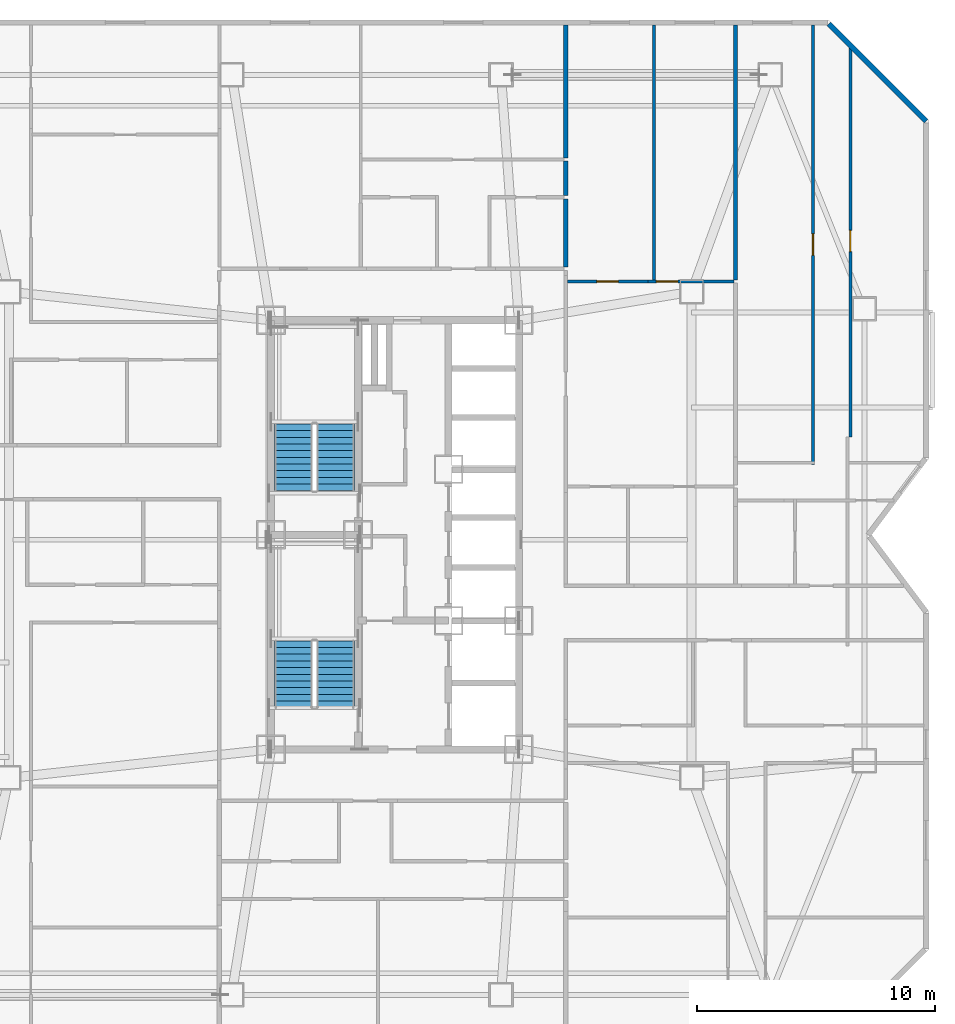
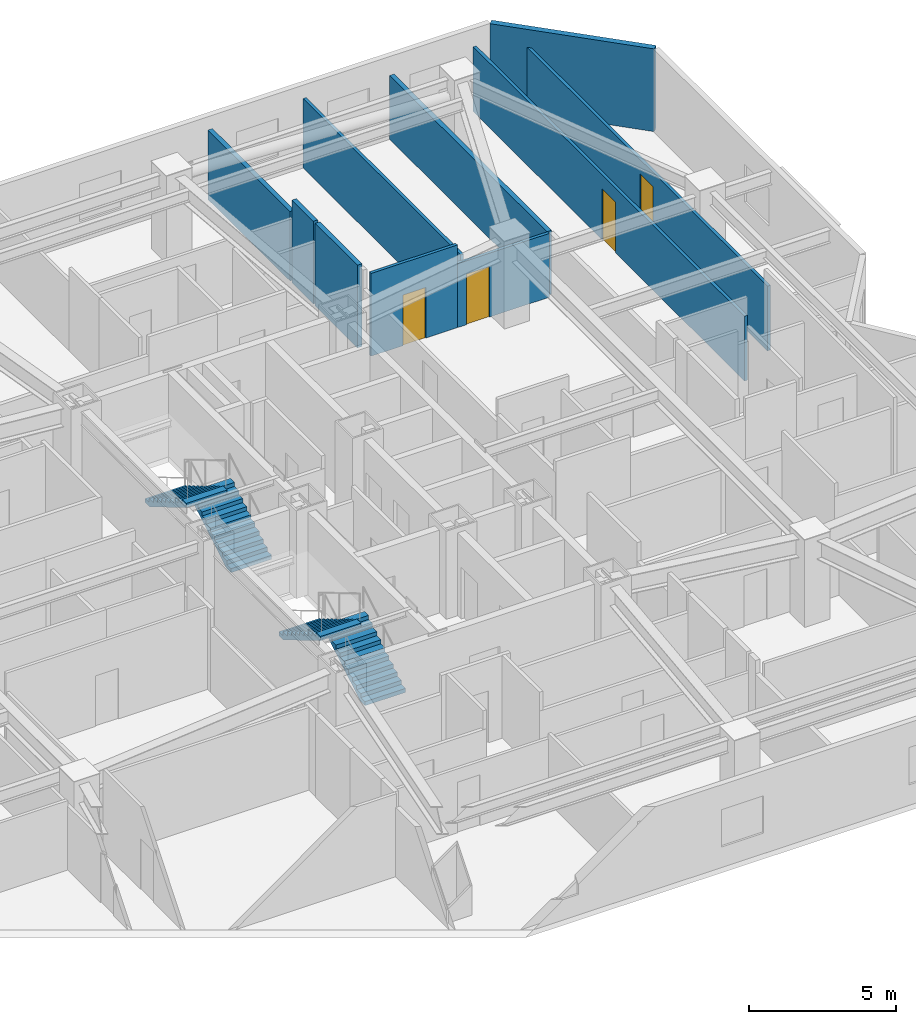
# One storey, part 16 of 17: 10 walls, 4 doors, 4 stair flights, 4 openings, 2 elements without a shape of their own.
"""IFC4 building model written with IfcOpenShell, lengths in metres."""

from ifc_helpers import new_model, si_unit, direction, frame, frame_2d, origin, place, context, subcontext, project, spatial, polyline, rectangle, outline, extrude, material, layer, layer_set, type_object, element, fill, aggregate, save


model = new_model("IFC4")

# Units and contexts
model_context = context("Model", 3, precision=1e-05, world=origin(), true_north=direction((0.0, 1.0)))
body_context = subcontext(model_context, "Body", "Model", "MODEL_VIEW")
ifc_project = project(units=[si_unit("LENGTHUNIT", "METRE"), si_unit("AREAUNIT", "SQUARE_METRE"), si_unit("VOLUMEUNIT", "CUBIC_METRE"), si_unit("PLANEANGLEUNIT", "RADIAN"), si_unit("MASSUNIT", "GRAM", prefix="KILO")], contexts=[model_context])

# Site, building, storey
site_placement = place(None, origin())
site = spatial("IfcSite", under=ifc_project, at=site_placement, CompositionType="ELEMENT")
building_placement = place(site_placement, origin())
building = spatial("IfcBuilding", under=site, at=building_placement, Name="Khamvora Tower", CompositionType="ELEMENT")
storey_placement = place(building_placement, frame((0.0, 0.0, 131.10009765625)))
storey = spatial("IfcBuildingStorey", under=building, at=storey_placement, Name="L33", CompositionType="ELEMENT", Elevation=131.10009765625)

# Walls
ifc_material_1 = material(Name="Acoustic Double-Stud Fire Wall", Category="gypsum")
ifc_layer_1 = layer(ifc_material_1, 0.179931640625)
ifc_layer_set_1 = layer_set([ifc_layer_1], Name="Acoustic Double-Stud Fire Wall")
wall_type_1 = type_object("IfcWallType", Name="WAL-CORR-180", PredefinedType="STANDARD", material=ifc_layer_set_1)
wall_1_placement = place(storey_placement, frame((41.364990234375, 43.677001953125, 0.0), z_axis=(0.0, 0.0, 1.0), x_axis=(0.0, -1.0, 0.0)))
element("IfcWall", 1, at=wall_1_placement, inside=storey, type_object=wall_type_1, Name="L33 interior partition wall 098", PredefinedType="STANDARD", context=body_context, shape_type="SweptSolid", body=[
    extrude(rectangle(XDim=1.449951171875, YDim=0.179931640625, at=frame_2d((0.72509765625, 0.0))), origin(), (0.0, 0.0, 1.0), 3.429931640625),
])
wall_2_placement = place(storey_placement, frame((41.364990234375, 42.096923828125, 0.0), z_axis=(0.0, 0.0, 1.0), x_axis=(0.0, -1.0, 0.0)))
element("IfcWall", 2, at=wall_2_placement, inside=storey, type_object=wall_type_1, Name="L33 interior partition wall 099", PredefinedType="STANDARD", context=body_context, shape_type="SweptSolid", body=[
    extrude(rectangle(XDim=2.866943359375, YDim=0.179931640625, at=frame_2d((1.43359375, 0.0))), origin(), (0.0, 0.0, 1.0), 3.429931640625),
])
wall_3_placement = place(storey_placement, frame((41.364990234375, 49.387939453125, 0.0), z_axis=(0.0, 0.0, 1.0), x_axis=(0.0, -1.0, 0.0)))
element("IfcWall", 3, at=wall_3_placement, inside=storey, type_object=wall_type_1, Name="L33 interior partition wall 100", PredefinedType="STANDARD", context=body_context, shape_type="SweptSolid", body=[
    extrude(rectangle(XDim=5.5810546875, YDim=0.179931640625, at=frame_2d((2.79052734375, 0.0))), origin(), (0.0, 0.0, 1.0), 2.8759765625),
])
wall_4_placement = place(storey_placement, frame((48.489990234375, 49.387939453125, 0.0), z_axis=(0.0, 0.0, 1.0), x_axis=(0.0, -1.0, 0.0)))
element("IfcWall", 4, at=wall_4_placement, inside=storey, type_object=wall_type_1, Name="L33 interior partition wall 120", PredefinedType="STANDARD", context=body_context, shape_type="SweptSolid", body=[
    extrude(rectangle(XDim=10.69287109375, YDim=0.179931640625, at=frame_2d((5.346435546875, 0.0))), origin(), (0.0, 0.0, 1.0), 2.64697265625),
])
ifc_material_2 = material(Name="Precast concrete C40/50", Category="concrete")
ifc_layer_2 = layer(ifc_material_2, 0.219970703125)
ifc_layer_set_2 = layer_set([ifc_layer_2], Name="Precast concrete C40/50")
wall_type_2 = type_object("IfcWallType", Name="WAL-EXT-220", PredefinedType="STANDARD", material=ifc_layer_set_2)
wall_5_placement = place(storey_placement, frame((52.402099609375, 49.44189453125, 0.0), z_axis=(0.0, 0.0, 1.0), x_axis=(0.707106781187, -0.707106781187, 0.0)))
element("IfcWall", 5, at=wall_5_placement, inside=storey, type_object=wall_type_2, Name="L33 exterior facade wall 08.1", PredefinedType="STANDARD", context=body_context, shape_type="SweptSolid", body=[
    extrude(rectangle(XDim=5.78125, YDim=0.219970703125, at=frame_2d((2.890625, 0.0))), origin(), (0.0, 0.0, 1.0), 3.429931640625),
])

# Wall, opening, door
ifc_material_3 = material(Name="Gypsum Plasterboard Partition", Category="gypsum")
ifc_layer_3 = layer(ifc_material_3, 0.1201171875)
ifc_layer_set_3 = layer_set([ifc_layer_3], Name="Gypsum Plasterboard Partition")
wall_type_3 = type_object("IfcWallType", Name="WAL-PART-120", PredefinedType="PARTITIONING", material=ifc_layer_set_3)
wall_6_placement = place(storey_placement, frame((44.818115234375, 38.6298828125, 0.0), z_axis=(0.0, 0.0, 1.0), x_axis=(1.0, 0.0, 0.0)))
wall_6 = element("IfcWall", 6, at=wall_6_placement, inside=storey, type_object=wall_type_3, Name="L33 interior partition wall 113", PredefinedType="PARTITIONING", context=body_context, shape_type="SweptSolid", body=[
    extrude(rectangle(XDim=3.60693359375, YDim=0.1201171875, at=frame_2d((1.803466796875, 0.0))), origin(), (0.0, 0.0, 1.0), 2.64697265625),
])
opening_1_placement = place(wall_6_placement, frame((0.35400390625, 0.0, 0.0)))
opening_1 = element("IfcOpeningElement", 7, at=opening_1_placement, cuts=wall_6, Name="Opening D-RM1", PredefinedType="OPENING", context=body_context, shape_type="SweptSolid", body=[
    extrude(rectangle(XDim=0.89990234375, YDim=2.10009765625, at=frame_2d((0.449951171875, 1.050048828125))), frame((0.0, 0.070068359375, 0.0), z_axis=(0.0, -1.0, 0.0), x_axis=(1.0, 0.0, 0.0)), (0.0, 0.0, 1.0), 0.14013671875),
])
ifc_material_4 = material(Name="Powder-Coated Steel and Hardwood Leaf", Category="steel")
door_type = type_object("IfcDoorType", Name="DOR-ROOM-900", OperationType="NOTDEFINED", PredefinedType="DOOR", material=ifc_material_4)
door_1_placement = place(opening_1_placement, origin())
door_1 = element("IfcDoor", 8, at=door_1_placement, inside=storey, type_object=door_type, Name="L33 interior door 33EBH-33EBR2", OperationType="SINGLE_SWING_LEFT", OverallHeight=2.10009765625, OverallWidth=0.89990234375, PredefinedType="DOOR", context=body_context, shape_type="SweptSolid", body=[
    extrude(rectangle(XDim=0.89990234375, YDim=2.10009765625, at=frame_2d((0.449951171875, 1.050048828125))), frame((0.0, 0.02490234375, 0.0), z_axis=(0.0, -1.0, 0.0), x_axis=(1.0, 0.0, 0.0)), (0.0, 0.0, 1.0), 0.050048828125),
])
fill(opening_1, door_1)

wall_7_placement = place(storey_placement, frame((41.431884765625, 38.6298828125, 0.0), z_axis=(0.0, 0.0, 1.0), x_axis=(1.0, 0.0, 0.0)))
wall_7 = element("IfcWall", 9, at=wall_7_placement, inside=storey, type_object=wall_type_3, Name="L33 interior partition wall 116", PredefinedType="PARTITIONING", context=body_context, shape_type="SweptSolid", body=[
    extrude(rectangle(XDim=3.38623046875, YDim=0.1201171875, at=frame_2d((1.693115234375, 0.0))), origin(), (0.0, 0.0, 1.0), 3.429931640625),
])
opening_2_placement = place(wall_7_placement, frame((1.242919921875, 0.0, 0.0)))
opening_2 = element("IfcOpeningElement", 10, at=opening_2_placement, cuts=wall_7, Name="Opening D-RM1", PredefinedType="OPENING", context=body_context, shape_type="SweptSolid", body=[
    extrude(rectangle(XDim=0.89990234375, YDim=2.10009765625, at=frame_2d((0.449951171875, 1.050048828125))), frame((0.0, 0.070068359375, 0.0), z_axis=(0.0, -1.0, 0.0), x_axis=(1.0, 0.0, 0.0)), (0.0, 0.0, 1.0), 0.14013671875),
])
door_2_placement = place(opening_2_placement, origin())
door_2 = element("IfcDoor", 11, at=door_2_placement, inside=storey, type_object=door_type, Name="L33 interior door 33EBH-33EBR1", OperationType="SINGLE_SWING_RIGHT", OverallHeight=2.10009765625, OverallWidth=0.89990234375, PredefinedType="DOOR", context=body_context, shape_type="SweptSolid", body=[
    extrude(rectangle(XDim=0.89990234375, YDim=2.10009765625, at=frame_2d((0.449951171875, 1.050048828125))), frame((0.0, 0.02490234375, 0.0), z_axis=(0.0, -1.0, 0.0), x_axis=(1.0, 0.0, 0.0)), (0.0, 0.0, 1.0), 0.050048828125),
])
fill(opening_2, door_2)

# Wall
wall_8_placement = place(storey_placement, frame((45.06689453125, 38.68408203125, 0.0), z_axis=(0.0, 0.0, 1.0), x_axis=(0.0, 1.0, 0.0)))
element("IfcWall", 12, at=wall_8_placement, inside=storey, type_object=wall_type_3, Name="L33 interior partition wall 119", PredefinedType="PARTITIONING", context=body_context, shape_type="SweptSolid", body=[
    extrude(rectangle(XDim=10.703857421875, YDim=0.1201171875, at=frame_2d((5.35205078125, 0.0))), origin(), (0.0, 0.0, 1.0), 2.8759765625),
])

# Wall, opening, door
wall_9_placement = place(storey_placement, frame((51.738037109375, 30.9599609375, 0.0), z_axis=(0.0, 0.0, 1.0), x_axis=(0.0, 1.0, 0.0)))
wall_9 = element("IfcWall", 13, at=wall_9_placement, inside=storey, type_object=wall_type_3, Name="L33 interior partition wall 129", PredefinedType="PARTITIONING", context=body_context, shape_type="SweptSolid", body=[
    extrude(rectangle(XDim=18.427978515625, YDim=0.1201171875, at=frame_2d((9.2138671875, 0.0))), origin(), (0.0, 0.0, 1.0), 2.68701171875),
])
opening_3_placement = place(wall_9_placement, frame((8.763916015625, 0.0, 0.0)))
opening_3 = element("IfcOpeningElement", 14, at=opening_3_placement, cuts=wall_9, Name="Opening D-RM1", PredefinedType="OPENING", context=body_context, shape_type="SweptSolid", body=[
    extrude(rectangle(XDim=0.89990234375, YDim=2.10009765625, at=frame_2d((0.449951171875, 1.050048828125))), frame((0.0, 0.070068359375, 0.0), z_axis=(0.0, -1.0, 0.0), x_axis=(1.0, 0.0, 0.0)), (0.0, 0.0, 1.0), 0.14013671875),
])
door_3_placement = place(opening_3_placement, origin())
door_3 = element("IfcDoor", 15, at=door_3_placement, inside=storey, type_object=door_type, Name="L33 interior door 33ECH-33ECR1", OperationType="SINGLE_SWING_LEFT", OverallHeight=2.10009765625, OverallWidth=0.89990234375, PredefinedType="DOOR", context=body_context, shape_type="SweptSolid", body=[
    extrude(rectangle(XDim=0.89990234375, YDim=2.10009765625, at=frame_2d((0.449951171875, 1.050048828125))), frame((0.0, 0.02490234375, 0.0), z_axis=(0.0, -1.0, 0.0), x_axis=(1.0, 0.0, 0.0)), (0.0, 0.0, 1.0), 0.050048828125),
])
fill(opening_3, door_3)

wall_10_placement = place(storey_placement, frame((53.306884765625, 48.5458984375, 0.0), z_axis=(0.0, 0.0, 1.0), x_axis=(0.0, -1.0, 0.0)))
wall_10 = element("IfcWall", 16, at=wall_10_placement, inside=storey, type_object=wall_type_3, Name="L33 interior partition wall 130", PredefinedType="PARTITIONING", context=body_context, shape_type="SweptSolid", body=[
    extrude(rectangle(XDim=16.435791015625, YDim=0.1201171875, at=frame_2d((8.2177734375, 0.0))), origin(), (0.0, 0.0, 1.0), 2.68701171875),
])
opening_4_placement = place(wall_10_placement, frame((7.76806640625, 0.0, 0.0)))
opening_4 = element("IfcOpeningElement", 17, at=opening_4_placement, cuts=wall_10, Name="Opening D-RM1", PredefinedType="OPENING", context=body_context, shape_type="SweptSolid", body=[
    extrude(rectangle(XDim=0.89990234375, YDim=2.10009765625, at=frame_2d((0.449951171875, 1.050048828125))), frame((0.0, 0.070068359375, 0.0), z_axis=(0.0, -1.0, 0.0), x_axis=(1.0, 0.0, 0.0)), (0.0, 0.0, 1.0), 0.14013671875),
])
door_4_placement = place(opening_4_placement, origin())
door_4 = element("IfcDoor", 18, at=door_4_placement, inside=storey, type_object=door_type, Name="L33 interior door 33ECH-33ECR2", OperationType="SINGLE_SWING_RIGHT", OverallHeight=2.10009765625, OverallWidth=0.89990234375, PredefinedType="DOOR", context=body_context, shape_type="SweptSolid", body=[
    extrude(rectangle(XDim=0.89990234375, YDim=2.10009765625, at=frame_2d((0.449951171875, 1.050048828125))), frame((0.0, 0.02490234375, 0.0), z_axis=(0.0, -1.0, 0.0), x_axis=(1.0, 0.0, 0.0)), (0.0, 0.0, 1.0), 0.050048828125),
])
fill(opening_4, door_4)

# Stair, stair flights
ifc_material_5 = material(Name="Concrete C40/50", Category="concrete")
stair_type_1 = type_object("IfcStairType", Name="STR-ST-01", PredefinedType="HALF_TURN_STAIR", material=ifc_material_5)
stair_1_placement = place(storey_placement, origin())
stair_1 = element("IfcStair", 19, at=stair_1_placement, inside=storey, type_object=stair_type_1, Name="L33 South Tower Exit Stair ST-01", PredefinedType="HALF_TURN_STAIR")
stair_flight_type_1 = type_object("IfcStairFlightType", Name="STF-ST-01", PredefinedType="STRAIGHT", material=ifc_material_5)
stair_flight_1_placement = place(storey_placement, frame((31.699951171875, 20.75, 0.0), z_axis=(0.0, 0.0, 1.0), x_axis=(0.0, 1.0, 0.0)))
stair_flight_1 = element("IfcStairFlight", 20, at=stair_flight_1_placement, type_object=stair_flight_type_1, Name="ST-01 flight 1", NumberOfRisers=11, NumberOfTreads=10, PredefinedType="STRAIGHT", RiserHeight=0.165909091, TreadLength=0.28, context=body_context, shape_type="SweptSolid", body=[
    extrude(outline(polyline([(0.0, 0.0), (0.0, 0.166015625), (0.280029296875, 0.166015625), (0.280029296875, 0.331787109375), (0.56005859375, 0.331787109375), (0.56005859375, 0.497802734375), (0.840087890625, 0.497802734375), (0.840087890625, 0.66357421875), (1.1201171875, 0.66357421875), (1.1201171875, 0.82958984375), (1.39990234375, 0.82958984375), (1.39990234375, 0.995361328125), (1.679931640625, 0.995361328125), (1.679931640625, 1.161376953125), (1.9599609375, 1.161376953125), (1.9599609375, 1.327392578125), (2.239990234375, 1.327392578125), (2.239990234375, 1.4931640625), (2.52001953125, 1.4931640625), (2.52001953125, 1.6591796875), (2.800048828125, 1.6591796875), (2.800048828125, 1.824951171875), (2.800048828125, 1.48486328125), (0.2939453125, 0.0), (0.0, 0.0)])), frame((0.0, 0.800048828125, 0.0), z_axis=(0.0, -1.0, 0.0), x_axis=(1.0, 0.0, 0.0)), (0.0, 0.0, 1.0), 1.60009765625),
])
stair_flight_2_placement = place(storey_placement, frame((29.949951171875, 23.550048828125, 1.824951171875), z_axis=(0.0, 0.0, 1.0), x_axis=(0.0, -1.0, 0.0)))
stair_flight_2 = element("IfcStairFlight", 21, at=stair_flight_2_placement, type_object=stair_flight_type_1, Name="ST-01 flight 2", NumberOfRisers=11, NumberOfTreads=10, PredefinedType="STRAIGHT", RiserHeight=0.165909091, TreadLength=0.28, context=body_context, shape_type="SweptSolid", body=[
    extrude(outline(polyline([(0.0, 0.0), (0.0, 0.166015625), (0.280029296875, 0.166015625), (0.280029296875, 0.331787109375), (0.56005859375, 0.331787109375), (0.56005859375, 0.497802734375), (0.840087890625, 0.497802734375), (0.840087890625, 0.66357421875), (1.1201171875, 0.66357421875), (1.1201171875, 0.82958984375), (1.39990234375, 0.82958984375), (1.39990234375, 0.995361328125), (1.679931640625, 0.995361328125), (1.679931640625, 1.161376953125), (1.9599609375, 1.161376953125), (1.9599609375, 1.327392578125), (2.239990234375, 1.327392578125), (2.239990234375, 1.4931640625), (2.52001953125, 1.4931640625), (2.52001953125, 1.6591796875), (2.800048828125, 1.6591796875), (2.800048828125, 1.824951171875), (2.800048828125, 1.48486328125), (0.2939453125, 0.0), (0.0, 0.0)])), frame((0.0, 0.800048828125, 0.0), z_axis=(0.0, -1.0, 0.0), x_axis=(1.0, 0.0, 0.0)), (0.0, 0.0, 1.0), 1.60009765625),
])
aggregate(stair_1, [stair_flight_1, stair_flight_2])

stair_type_2 = type_object("IfcStairType", Name="STR-ST-02", PredefinedType="HALF_TURN_STAIR", material=ifc_material_5)
stair_2_placement = place(storey_placement, origin())
stair_2 = element("IfcStair", 22, at=stair_2_placement, inside=storey, type_object=stair_type_2, Name="L33 North Tower Exit Stair ST-02", PredefinedType="HALF_TURN_STAIR")
stair_flight_type_2 = type_object("IfcStairFlightType", Name="STF-ST-02", PredefinedType="STRAIGHT", material=ifc_material_5)
stair_flight_3_placement = place(storey_placement, frame((31.699951171875, 29.85009765625, 0.0), z_axis=(0.0, 0.0, 1.0), x_axis=(0.0, 1.0, 0.0)))
stair_flight_3 = element("IfcStairFlight", 23, at=stair_flight_3_placement, type_object=stair_flight_type_2, Name="ST-02 flight 1", NumberOfRisers=11, NumberOfTreads=10, PredefinedType="STRAIGHT", RiserHeight=0.165909091, TreadLength=0.28, context=body_context, shape_type="SweptSolid", body=[
    extrude(outline(polyline([(0.0, 0.0), (0.0, 0.166015625), (0.280029296875, 0.166015625), (0.280029296875, 0.331787109375), (0.56005859375, 0.331787109375), (0.56005859375, 0.497802734375), (0.840087890625, 0.497802734375), (0.840087890625, 0.66357421875), (1.1201171875, 0.66357421875), (1.1201171875, 0.82958984375), (1.39990234375, 0.82958984375), (1.39990234375, 0.995361328125), (1.679931640625, 0.995361328125), (1.679931640625, 1.161376953125), (1.9599609375, 1.161376953125), (1.9599609375, 1.327392578125), (2.239990234375, 1.327392578125), (2.239990234375, 1.4931640625), (2.52001953125, 1.4931640625), (2.52001953125, 1.6591796875), (2.800048828125, 1.6591796875), (2.800048828125, 1.824951171875), (2.800048828125, 1.48486328125), (0.2939453125, 0.0), (0.0, 0.0)])), frame((0.0, 0.800048828125, 0.0), z_axis=(0.0, -1.0, 0.0), x_axis=(1.0, 0.0, 0.0)), (0.0, 0.0, 1.0), 1.60009765625),
])
stair_flight_4_placement = place(storey_placement, frame((29.949951171875, 32.64990234375, 1.824951171875), z_axis=(0.0, 0.0, 1.0), x_axis=(0.0, -1.0, 0.0)))
stair_flight_4 = element("IfcStairFlight", 24, at=stair_flight_4_placement, type_object=stair_flight_type_2, Name="ST-02 flight 2", NumberOfRisers=11, NumberOfTreads=10, PredefinedType="STRAIGHT", RiserHeight=0.165909091, TreadLength=0.28, context=body_context, shape_type="SweptSolid", body=[
    extrude(outline(polyline([(0.0, 0.0), (0.0, 0.166015625), (0.280029296875, 0.166015625), (0.280029296875, 0.331787109375), (0.56005859375, 0.331787109375), (0.56005859375, 0.497802734375), (0.840087890625, 0.497802734375), (0.840087890625, 0.66357421875), (1.1201171875, 0.66357421875), (1.1201171875, 0.82958984375), (1.39990234375, 0.82958984375), (1.39990234375, 0.995361328125), (1.679931640625, 0.995361328125), (1.679931640625, 1.161376953125), (1.9599609375, 1.161376953125), (1.9599609375, 1.327392578125), (2.239990234375, 1.327392578125), (2.239990234375, 1.4931640625), (2.52001953125, 1.4931640625), (2.52001953125, 1.6591796875), (2.800048828125, 1.6591796875), (2.800048828125, 1.824951171875), (2.800048828125, 1.48486328125), (0.2939453125, 0.0), (0.0, 0.0)])), frame((0.0, 0.800048828125, 0.0), z_axis=(0.0, -1.0, 0.0), x_axis=(1.0, 0.0, 0.0)), (0.0, 0.0, 1.0), 1.60009765625),
])
aggregate(stair_2, [stair_flight_3, stair_flight_4])

save(model, "model.ifc")
